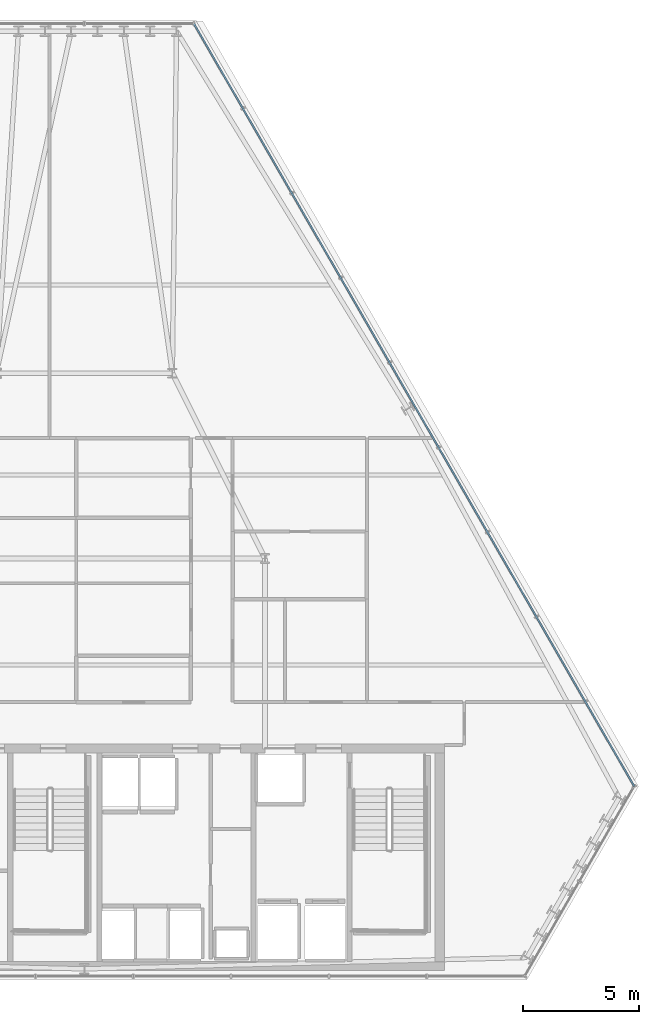
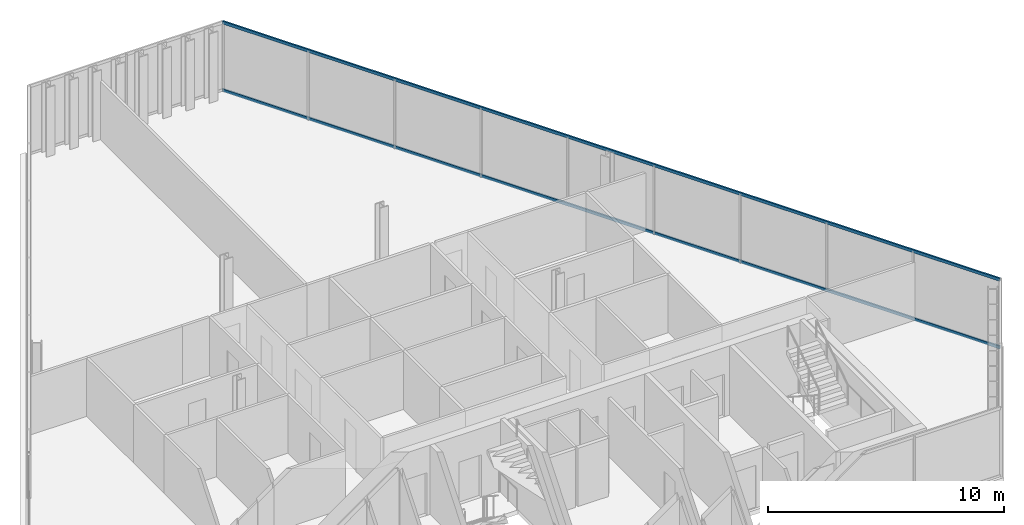
# One storey, part 18 of 33: 2 members, 1 element without a shape of its own.
"""IFC4 building model written with IfcOpenShell, lengths in metres."""

from ifc_helpers import new_model, si_unit, direction, frame, origin, origin_2d, place, context, subcontext, project, spatial, hollow_rectangle, extrude, material, layer, layer_set, material_profile, profile_set, type_object, element, aggregate, save


model = new_model("IFC4")

# Units and contexts
model_context = context("Model", 3, precision=1e-05, world=origin(), true_north=direction((0.0, 1.0)))
body_context = subcontext(model_context, "Body", "Model", "MODEL_VIEW")
ifc_project = project(units=[si_unit("LENGTHUNIT", "METRE"), si_unit("AREAUNIT", "SQUARE_METRE"), si_unit("VOLUMEUNIT", "CUBIC_METRE"), si_unit("PLANEANGLEUNIT", "RADIAN"), si_unit("MASSUNIT", "GRAM", prefix="KILO")], contexts=[model_context])

# Site, building, storey
site_placement = place(None, origin())
site = spatial("IfcSite", under=ifc_project, at=site_placement, CompositionType="ELEMENT")
building_placement = place(site_placement, origin())
building = spatial("IfcBuilding", under=site, at=building_placement, Name="Ndaravel Arena Tower", CompositionType="ELEMENT")
storey_placement = place(building_placement, frame((0.0, 0.0, 184.0)))
storey = spatial("IfcBuildingStorey", under=building, at=storey_placement, Name="L44", CompositionType="ELEMENT", Elevation=184.0)

# Curtain wall, members
ifc_material_1 = material(Name="Aluminium", Category="aluminium")
ifc_layer = layer(ifc_material_1, 0.179931640625)
ifc_layer_set = layer_set([ifc_layer], Name="Aluminium")
curtain_wall_type = type_object("IfcCurtainWallType", Name="CW-SYS-03", PredefinedType="NOTDEFINED", material=ifc_layer_set)
curtain_wall_placement = place(storey_placement, origin())
curtain_wall = element("IfcCurtainWall", 1, at=curtain_wall_placement, inside=storey, type_object=curtain_wall_type, Name="L44 Faceted Crystal Curtain Wall CW-L44-E03", PredefinedType="NOTDEFINED")
ifc_material_2 = material(Name="Aluminium", Category="aluminium")
ifc_material_profile = material_profile(ifc_material_2, hollow_rectangle(XDim=0.074951171875, YDim=0.14990234375, WallThickness=0.00390625, at=origin_2d()), Name="CW TRANSOM 75x150x4")
ifc_profile_set = profile_set([ifc_material_profile], Name="Aluminium")
member_type = type_object("IfcMemberType", Name="MEM-CW-TRN150", PredefinedType="USERDEFINED", material=ifc_profile_set)
member_1_placement = place(storey_placement, frame((65.747802734375, 13.359375, 0.0400390625), z_axis=(-0.499999580071, 0.866025646231, 0.0), x_axis=(-0.866025646231, -0.499999580071, 0.0)))
member_1 = element("IfcMember", 2, at=member_1_placement, type_object=member_type, Name="CW-L44-E03 Transom 01", ObjectType="TRANSOM", PredefinedType="USERDEFINED", context=body_context, shape_type="SweptSolid", body=[
    extrude(hollow_rectangle(XDim=0.074951171875, YDim=0.14990234375, WallThickness=0.00390625, at=origin_2d()), origin(), (0.0, 0.0, 1.0), 38.02783203125),
])
member_2_placement = place(storey_placement, frame((65.747802734375, 13.359375, 3.5400390625), z_axis=(-0.499999580071, 0.866025646231, 0.0), x_axis=(-0.866025646231, -0.499999580071, 0.0)))
member_2 = element("IfcMember", 3, at=member_2_placement, type_object=member_type, Name="CW-L44-E03 Transom 02", ObjectType="TRANSOM", PredefinedType="USERDEFINED", context=body_context, shape_type="SweptSolid", body=[
    extrude(hollow_rectangle(XDim=0.074951171875, YDim=0.14990234375, WallThickness=0.00390625, at=origin_2d()), origin(), (0.0, 0.0, 1.0), 38.02783203125),
])
aggregate(curtain_wall, [member_1, member_2])

save(model, "model.ifc")
